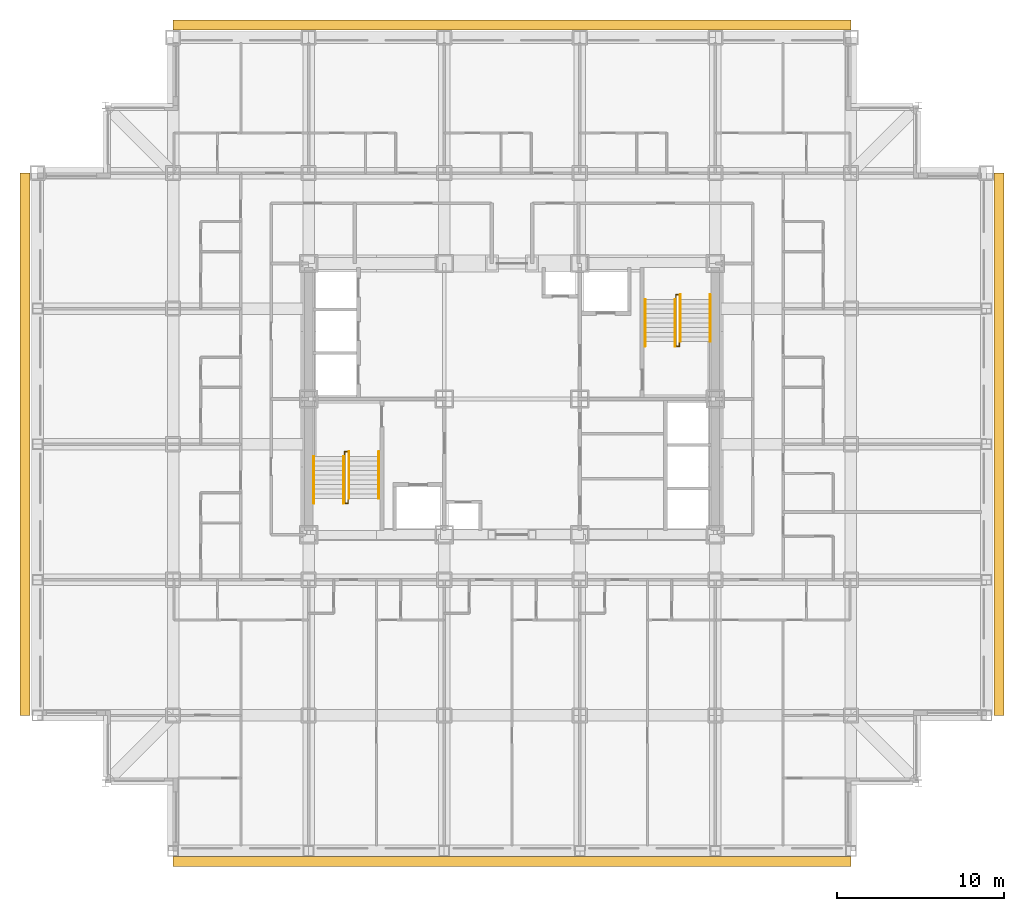
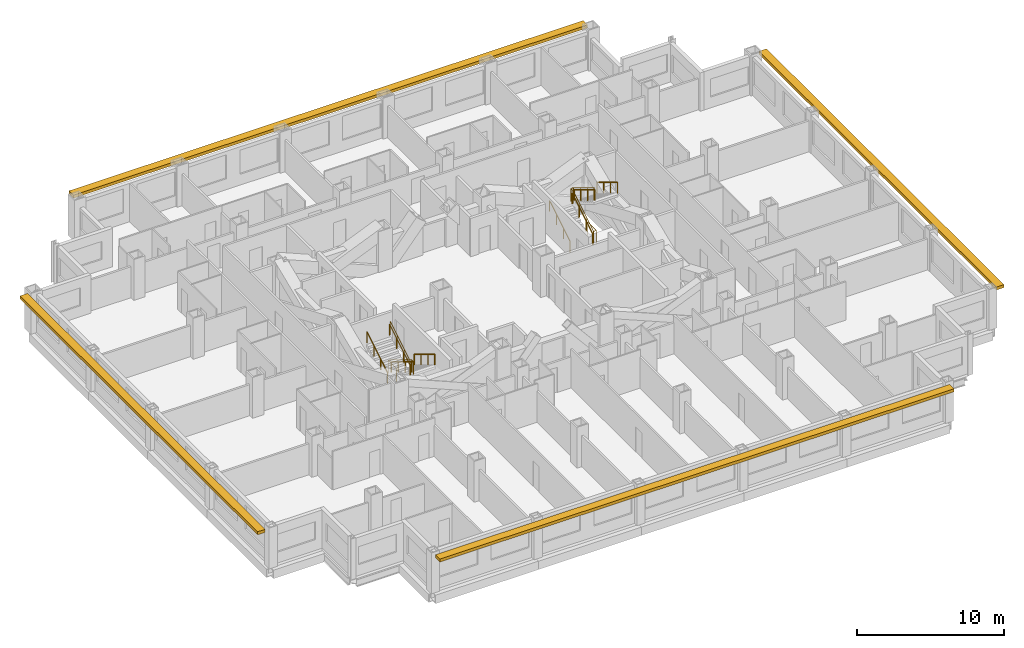
# One storey, part 12 of 12: 10 railings, 4 shading devices.
"""IFC4 building model written with IfcOpenShell, lengths in metres."""

from ifc_helpers import new_model, si_unit, direction, frame, origin, origin_2d, place, context, subcontext, project, spatial, rectangle, circle, extrude, material, type_object, element, save


model = new_model("IFC4")

# Units and contexts
model_context = context("Model", 3, precision=1e-05, world=origin(), true_north=direction((0.0, 1.0)))
body_context = subcontext(model_context, "Body", "Model", "MODEL_VIEW")
ifc_project = project(units=[si_unit("LENGTHUNIT", "METRE"), si_unit("AREAUNIT", "SQUARE_METRE"), si_unit("VOLUMEUNIT", "CUBIC_METRE"), si_unit("PLANEANGLEUNIT", "RADIAN"), si_unit("MASSUNIT", "GRAM", prefix="KILO")], contexts=[model_context])

# Site, building, storey
site_placement = place(None, origin())
site = spatial("IfcSite", under=ifc_project, at=site_placement, CompositionType="ELEMENT")
building_placement = place(site_placement, origin())
building = spatial("IfcBuilding", under=site, at=building_placement, Name="Kopane Lantern Tower", CompositionType="ELEMENT")
storey_placement = place(building_placement, frame((0.0, 0.0, 103.39990234375)))
storey = spatial("IfcBuildingStorey", under=building, at=storey_placement, Name="L25", CompositionType="ELEMENT", Elevation=103.39990234375)

# Railings
ifc_material_1 = material(Name="Steel", Category="steel")
railing_type_1 = type_object("IfcRailingType", Name="STAIR GUARD 1100", PredefinedType="GUARDRAIL", material=ifc_material_1)
railing_1_placement = place(storey_placement, frame((18.35009765625, 28.1298828125, 0.0)))
element("IfcRailing", 1, at=railing_1_placement, inside=storey, type_object=railing_type_1, Name="ST1 well guard L25", PredefinedType="GUARDRAIL", context=body_context, shape_type="SweptSolid", body=[
    extrude(circle(Radius=0.02392578125, at=origin_2d()), frame((0.0, 0.0, 1.076171875), z_axis=(0.0, 1.0, 0.0), x_axis=(-1.0, 0.0, 0.0)), (0.0, 0.0, 1.0), 1.1201171875),
    extrude(circle(Radius=0.02392578125, at=origin_2d()), frame((0.0, 1.1201171875, 1.076171875), z_axis=(1.0, 0.0, 0.0), x_axis=(0.0, 1.0, 0.0)), (0.0, 0.0, 1.0), 0.199951171875),
    extrude(circle(Radius=0.02392578125, at=origin_2d()), frame((0.199951171875, 1.1201171875, 1.076171875), z_axis=(0.0, -0.854765079529, 0.519015085347), x_axis=(1.0, 0.0, 0.0)), (0.0, 0.0, 1.0), 3.27587890625),
    extrude(circle(Radius=0.02392578125, at=origin_2d()), frame((0.199951171875, -1.679931640625, 2.7763671875), z_axis=(0.0, -1.0, 0.0), x_axis=(1.0, 0.0, 0.0)), (0.0, 0.0, 1.0), 0.280029296875),
    extrude(circle(Radius=0.02392578125, at=origin_2d()), frame((0.199951171875, -1.9599609375, 2.7763671875), z_axis=(-1.0, 0.0, 0.0), x_axis=(0.0, -1.0, 0.0)), (0.0, 0.0, 1.0), 0.199951171875),
    extrude(circle(Radius=0.02392578125, at=origin_2d()), frame((0.0, -1.9599609375, 2.7763671875), z_axis=(0.0, 0.854798142509, 0.518960630071), x_axis=(-1.0, 0.0, 0.0)), (0.0, 0.0, 1.0), 3.275634765625),
    extrude(circle(Radius=0.02099609375, at=origin_2d()), origin(), (0.0, 0.0, 1.0), 1.052001953125),
    extrude(circle(Radius=0.02099609375, at=origin_2d()), frame((0.0, 1.1201171875, 0.0)), (0.0, 0.0, 1.0), 1.052001953125),
    extrude(circle(Radius=0.02099609375, at=origin_2d()), frame((0.199951171875, 1.1201171875, 0.0)), (0.0, 0.0, 1.0), 1.052001953125),
    extrude(circle(Radius=0.02099609375, at=origin_2d()), frame((0.199951171875, 0.186767578125, 0.566650390625)), (0.0, 0.0, 1.0), 1.052001953125),
    extrude(circle(Radius=0.02099609375, at=origin_2d()), frame((0.199951171875, -0.74658203125, 1.133544921875)), (0.0, 0.0, 1.0), 1.052001953125),
    extrude(circle(Radius=0.02099609375, at=origin_2d()), frame((0.199951171875, -1.679931640625, 1.7001953125)), (0.0, 0.0, 1.0), 1.052001953125),
    extrude(circle(Radius=0.02099609375, at=origin_2d()), frame((0.199951171875, -1.9599609375, 1.7001953125)), (0.0, 0.0, 1.0), 1.052001953125),
    extrude(circle(Radius=0.02099609375, at=origin_2d()), frame((0.0, -1.9599609375, 1.7001953125)), (0.0, 0.0, 1.0), 1.052001953125),
    extrude(circle(Radius=0.02099609375, at=origin_2d()), frame((0.0, -1.026611328125, 2.266845703125)), (0.0, 0.0, 1.0), 1.052001953125),
    extrude(circle(Radius=0.02099609375, at=origin_2d()), frame((0.0, -0.09326171875, 2.83349609375)), (0.0, 0.0, 1.0), 1.052001953125),
    extrude(circle(Radius=0.02099609375, at=origin_2d()), frame((0.0, 0.840087890625, 3.400146484375)), (0.0, 0.0, 1.0), 1.052001953125),
])
railing_2_placement = place(storey_placement, frame((38.35009765625, 36.669921875, 0.0)))
element("IfcRailing", 2, at=railing_2_placement, inside=storey, type_object=railing_type_1, Name="ST2 well guard L25", PredefinedType="GUARDRAIL", context=body_context, shape_type="SweptSolid", body=[
    extrude(circle(Radius=0.02392578125, at=origin_2d()), frame((0.0, 0.0, 1.076171875), z_axis=(0.0, -1.0, 0.0), x_axis=(1.0, 0.0, 0.0)), (0.0, 0.0, 1.0), 1.119873046875),
    extrude(circle(Radius=0.02392578125, at=origin_2d()), frame((0.0, -1.119873046875, 1.076171875), z_axis=(-1.0, 0.0, 0.0), x_axis=(0.0, -1.0, 0.0)), (0.0, 0.0, 1.0), 0.2001953125),
    extrude(circle(Radius=0.02392578125, at=origin_2d()), frame((-0.2001953125, -1.119873046875, 1.076171875), z_axis=(0.0, 0.854765079529, 0.519015085347), x_axis=(-1.0, 0.0, 0.0)), (0.0, 0.0, 1.0), 3.27587890625),
    extrude(circle(Radius=0.02392578125, at=origin_2d()), frame((-0.2001953125, 1.68017578125, 2.7763671875), z_axis=(0.0, 1.0, 0.0), x_axis=(-1.0, 0.0, 0.0)), (0.0, 0.0, 1.0), 0.27978515625),
    extrude(circle(Radius=0.02392578125, at=origin_2d()), frame((-0.2001953125, 1.9599609375, 2.7763671875), z_axis=(1.0, 0.0, 0.0), x_axis=(0.0, 1.0, 0.0)), (0.0, 0.0, 1.0), 0.2001953125),
    extrude(circle(Radius=0.02392578125, at=origin_2d()), frame((0.0, 1.9599609375, 2.7763671875), z_axis=(0.0, -0.854778067842, 0.518993694313), x_axis=(1.0, 0.0, 0.0)), (0.0, 0.0, 1.0), 3.275390625),
    extrude(circle(Radius=0.02099609375, at=origin_2d()), origin(), (0.0, 0.0, 1.0), 1.052001953125),
    extrude(circle(Radius=0.02099609375, at=origin_2d()), frame((0.0, -1.119873046875, 0.0)), (0.0, 0.0, 1.0), 1.052001953125),
    extrude(circle(Radius=0.02099609375, at=origin_2d()), frame((-0.2001953125, -1.119873046875, 0.0)), (0.0, 0.0, 1.0), 1.052001953125),
    extrude(circle(Radius=0.02099609375, at=origin_2d()), frame((-0.2001953125, -0.1865234375, 0.566650390625)), (0.0, 0.0, 1.0), 1.052001953125),
    extrude(circle(Radius=0.02099609375, at=origin_2d()), frame((-0.2001953125, 0.746826171875, 1.133544921875)), (0.0, 0.0, 1.0), 1.052001953125),
    extrude(circle(Radius=0.02099609375, at=origin_2d()), frame((-0.2001953125, 1.68017578125, 1.7001953125)), (0.0, 0.0, 1.0), 1.052001953125),
    extrude(circle(Radius=0.02099609375, at=origin_2d()), frame((-0.2001953125, 1.9599609375, 1.7001953125)), (0.0, 0.0, 1.0), 1.052001953125),
    extrude(circle(Radius=0.02099609375, at=origin_2d()), frame((0.0, 1.9599609375, 1.7001953125)), (0.0, 0.0, 1.0), 1.052001953125),
    extrude(circle(Radius=0.02099609375, at=origin_2d()), frame((0.0, 1.026611328125, 2.266845703125)), (0.0, 0.0, 1.0), 1.052001953125),
    extrude(circle(Radius=0.02099609375, at=origin_2d()), frame((0.0, 0.093505859375, 2.83349609375)), (0.0, 0.0, 1.0), 1.052001953125),
    extrude(circle(Radius=0.02099609375, at=origin_2d()), frame((0.0, -0.83984375, 3.400146484375)), (0.0, 0.0, 1.0), 1.052001953125),
])
ifc_material_2 = material(Name="Steel", Category="steel")
railing_type_2 = type_object("IfcRailingType", Name="STAIR HANDRAIL 900", PredefinedType="HANDRAIL", material=ifc_material_2)
for number, where, name in (
    (3, (20.389892578125, 29.25, 0.0), "ST1 handrail L25 flight 1"),
    (4, (18.610107421875, 29.25, 0.0), "ST1 handrail L25 flight 1"),
):
    element("IfcRailing", number, at=place(storey_placement, frame(where)), inside=storey, type_object=railing_type_2, Name=name, PredefinedType="HANDRAIL", context=body_context, shape_type="SweptSolid", body=[
        extrude(circle(Radius=0.02392578125, at=origin_2d()), frame((0.0, 0.0, 0.8759765625), z_axis=(0.0, -0.854765079529, 0.519015085347), x_axis=(1.0, 0.0, 0.0)), (0.0, 0.0, 1.0), 3.27587890625),
        extrude(circle(Radius=0.02099609375, at=origin_2d()), origin(), (0.0, 0.0, 1.0), 0.851806640625),
        extrude(circle(Radius=0.02099609375, at=origin_2d()), frame((0.0, -0.933349609375, 0.566650390625)), (0.0, 0.0, 1.0), 0.851806640625),
        extrude(circle(Radius=0.02099609375, at=origin_2d()), frame((0.0, -1.86669921875, 1.133544921875)), (0.0, 0.0, 1.0), 0.851806640625),
        extrude(circle(Radius=0.02099609375, at=origin_2d()), frame((0.0, -2.800048828125, 1.7001953125)), (0.0, 0.0, 1.0), 0.851806640625),
    ])
for number, where, name in (
    (5, (16.510009765625, 26.169921875, 1.7001953125), "ST1 handrail L25 flight 2"),
    (6, (18.2900390625, 26.169921875, 1.7001953125), "ST1 handrail L25 flight 2"),
):
    element("IfcRailing", number, at=place(storey_placement, frame(where)), inside=storey, type_object=railing_type_2, Name=name, PredefinedType="HANDRAIL", context=body_context, shape_type="SweptSolid", body=[
        extrude(circle(Radius=0.02392578125, at=origin_2d()), frame((0.0, 0.0, 0.8759765625), z_axis=(0.0, 0.854798142509, 0.518960630071), x_axis=(-1.0, 0.0, 0.0)), (0.0, 0.0, 1.0), 3.275634765625),
        extrude(circle(Radius=0.02099609375, at=origin_2d()), origin(), (0.0, 0.0, 1.0), 0.851806640625),
        extrude(circle(Radius=0.02099609375, at=origin_2d()), frame((0.0, 0.933349609375, 0.566650390625)), (0.0, 0.0, 1.0), 0.851806640625),
        extrude(circle(Radius=0.02099609375, at=origin_2d()), frame((0.0, 1.86669921875, 1.13330078125)), (0.0, 0.0, 1.0), 0.851806640625),
        extrude(circle(Radius=0.02099609375, at=origin_2d()), frame((0.0, 2.800048828125, 1.699951171875)), (0.0, 0.0, 1.0), 0.851806640625),
    ])
for number, where, name in (
    (7, (36.31005859375, 35.550048828125, 0.0), "ST2 handrail L25 flight 1"),
    (8, (38.090087890625, 35.550048828125, 0.0), "ST2 handrail L25 flight 1"),
):
    element("IfcRailing", number, at=place(storey_placement, frame(where)), inside=storey, type_object=railing_type_2, Name=name, PredefinedType="HANDRAIL", context=body_context, shape_type="SweptSolid", body=[
        extrude(circle(Radius=0.02392578125, at=origin_2d()), frame((0.0, 0.0, 0.8759765625), z_axis=(0.0, 0.854765079529, 0.519015085347), x_axis=(-1.0, 0.0, 0.0)), (0.0, 0.0, 1.0), 3.27587890625),
        extrude(circle(Radius=0.02099609375, at=origin_2d()), origin(), (0.0, 0.0, 1.0), 0.851806640625),
        extrude(circle(Radius=0.02099609375, at=origin_2d()), frame((0.0, 0.933349609375, 0.566650390625)), (0.0, 0.0, 1.0), 0.851806640625),
        extrude(circle(Radius=0.02099609375, at=origin_2d()), frame((0.0, 1.86669921875, 1.133544921875)), (0.0, 0.0, 1.0), 0.851806640625),
        extrude(circle(Radius=0.02099609375, at=origin_2d()), frame((0.0, 2.800048828125, 1.7001953125)), (0.0, 0.0, 1.0), 0.851806640625),
    ])
for number, where, name in (
    (9, (40.18994140625, 38.6298828125, 1.7001953125), "ST2 handrail L25 flight 2"),
    (10, (38.409912109375, 38.6298828125, 1.7001953125), "ST2 handrail L25 flight 2"),
):
    element("IfcRailing", number, at=place(storey_placement, frame(where)), inside=storey, type_object=railing_type_2, Name=name, PredefinedType="HANDRAIL", context=body_context, shape_type="SweptSolid", body=[
        extrude(circle(Radius=0.02392578125, at=origin_2d()), frame((0.0, 0.0, 0.8759765625), z_axis=(0.0, -0.854778067842, 0.518993694313), x_axis=(1.0, 0.0, 0.0)), (0.0, 0.0, 1.0), 3.275390625),
        extrude(circle(Radius=0.02099609375, at=origin_2d()), origin(), (0.0, 0.0, 1.0), 0.851806640625),
        extrude(circle(Radius=0.02099609375, at=origin_2d()), frame((0.0, -0.933349609375, 0.566650390625)), (0.0, 0.0, 1.0), 0.851806640625),
        extrude(circle(Radius=0.02099609375, at=origin_2d()), frame((0.0, -1.866455078125, 1.13330078125)), (0.0, 0.0, 1.0), 0.851806640625),
        extrude(circle(Radius=0.02099609375, at=origin_2d()), frame((0.0, -2.7998046875, 1.699951171875)), (0.0, 0.0, 1.0), 0.851806640625),
    ])

# Shading devices
ifc_material_3 = material(Name="Terracotta rainscreen on light steel framing", Category="masonry")
shading_device_type = type_object("IfcShadingDeviceType", Name="SUNSHADE BAND SB1 600 TERRACOTTA", PredefinedType="USERDEFINED", material=ifc_material_3)
shading_device_1_placement = place(storey_placement, frame((28.35009765625, 4.77490234375, 2.900146484375), z_axis=(0.0, 0.0, 1.0), x_axis=(1.0, 0.0, 0.0)))
element("IfcShadingDevice", 11, at=shading_device_1_placement, inside=storey, type_object=shading_device_type, Name="Sunshade band S L25", ObjectType="SUNSHADE BAND", PredefinedType="USERDEFINED", context=body_context, shape_type="SweptSolid", body=[
    extrude(rectangle(XDim=40.5, YDim=0.60009765625, at=origin_2d()), origin(), (0.0, 0.0, 1.0), 0.25),
])
shading_device_2_placement = place(storey_placement, frame((57.449951171875, 29.699951171875, 2.900146484375), z_axis=(0.0, 0.0, 1.0), x_axis=(0.0, 1.0, 0.0)))
element("IfcShadingDevice", 12, at=shading_device_2_placement, inside=storey, type_object=shading_device_type, Name="Sunshade band E L25", ObjectType="SUNSHADE BAND", PredefinedType="USERDEFINED", context=body_context, shape_type="SweptSolid", body=[
    extrude(rectangle(XDim=32.39990234375, YDim=0.60009765625, at=origin_2d()), origin(), (0.0, 0.0, 1.0), 0.25),
])
shading_device_3_placement = place(storey_placement, frame((28.35009765625, 54.75, 2.900146484375), z_axis=(0.0, 0.0, 1.0), x_axis=(-1.0, 0.0, 0.0)))
element("IfcShadingDevice", 13, at=shading_device_3_placement, inside=storey, type_object=shading_device_type, Name="Sunshade band N L25", ObjectType="SUNSHADE BAND", PredefinedType="USERDEFINED", context=body_context, shape_type="SweptSolid", body=[
    extrude(rectangle(XDim=40.5, YDim=0.60009765625, at=origin_2d()), origin(), (0.0, 0.0, 1.0), 0.25),
])
shading_device_4_placement = place(storey_placement, frame((-0.75, 29.699951171875, 2.900146484375), z_axis=(0.0, 0.0, 1.0), x_axis=(0.0, -1.0, 0.0)))
element("IfcShadingDevice", 14, at=shading_device_4_placement, inside=storey, type_object=shading_device_type, Name="Sunshade band W L25", ObjectType="SUNSHADE BAND", PredefinedType="USERDEFINED", context=body_context, shape_type="SweptSolid", body=[
    extrude(rectangle(XDim=32.39990234375, YDim=0.60009765625, at=origin_2d()), origin(), (0.0, 0.0, 1.0), 0.25),
])

save(model, "model.ifc")
